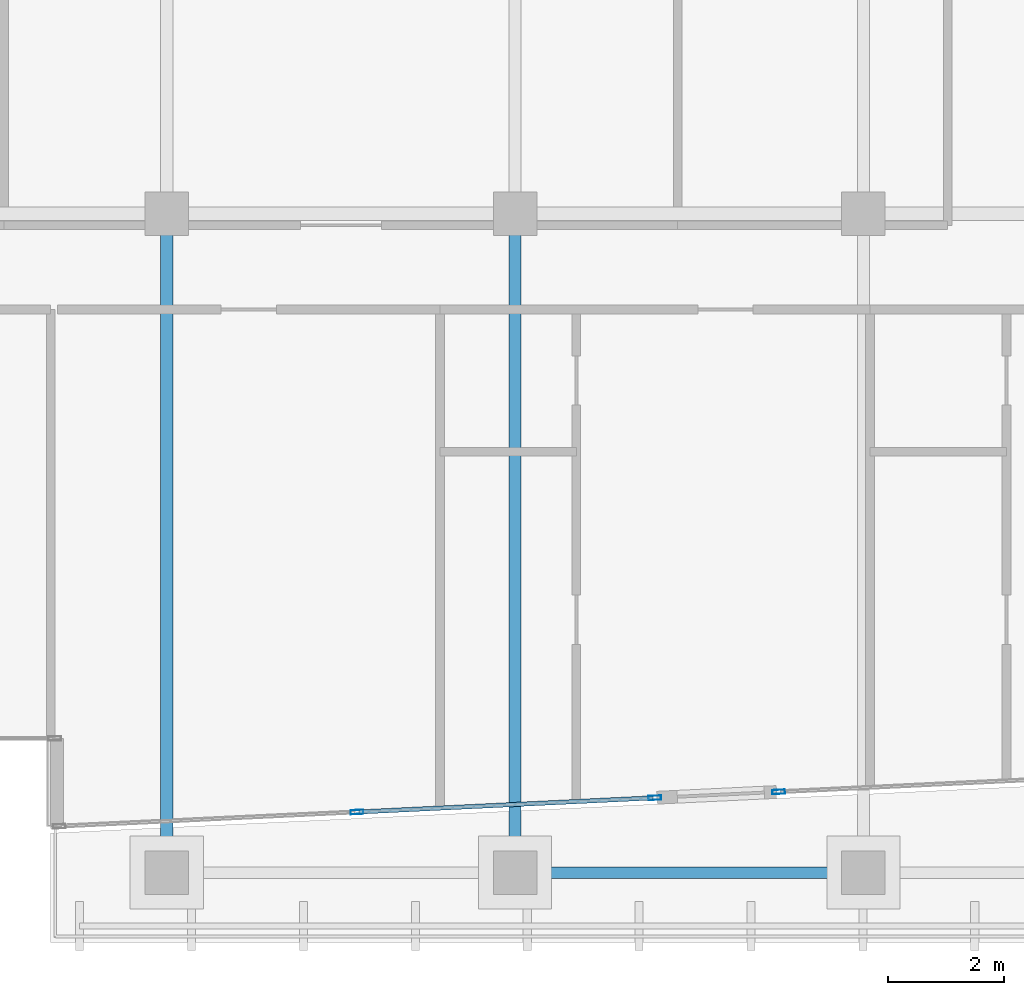
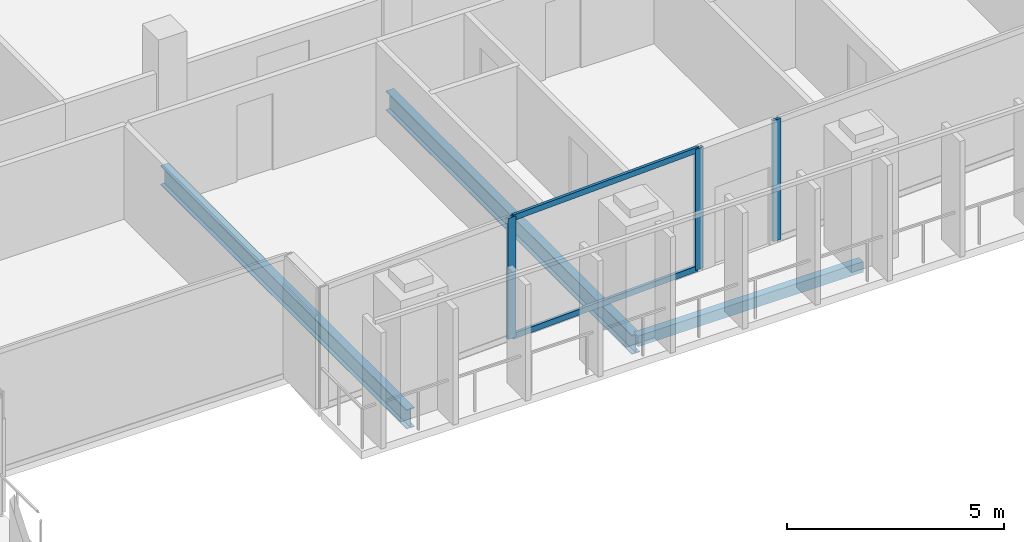
# One storey, part 6 of 31: 5 members, 3 beams, 2 elements without a shape of their own.
"""IFC4 building model written with IfcOpenShell, lengths in metres."""

from ifc_helpers import new_model, si_unit, direction, frame, origin, origin_2d, place, context, subcontext, project, spatial, hollow_rectangle, i_section, extrude, material, layer, layer_set, material_profile, profile_set, type_object, element, aggregate, save


model = new_model("IFC4")

# Units and contexts
model_context = context("Model", 3, precision=1e-05, world=origin(), true_north=direction((0.0, 1.0)))
body_context = subcontext(model_context, "Body", "Model", "MODEL_VIEW")
ifc_project = project(units=[si_unit("LENGTHUNIT", "METRE"), si_unit("AREAUNIT", "SQUARE_METRE"), si_unit("VOLUMEUNIT", "CUBIC_METRE"), si_unit("PLANEANGLEUNIT", "RADIAN"), si_unit("MASSUNIT", "GRAM", prefix="KILO")], contexts=[model_context])

# Site, building, storey
site_placement = place(None, origin())
site = spatial("IfcSite", under=ifc_project, at=site_placement, CompositionType="ELEMENT")
building_placement = place(site_placement, origin())
building = spatial("IfcBuilding", under=site, at=building_placement, Name="Tanjung Sevakor Pilgrim Tower", CompositionType="ELEMENT")
storey_placement = place(building_placement, frame((0.0, 0.0, 208.22998046875)))
storey = spatial("IfcBuildingStorey", under=building, at=storey_placement, Name="L58", CompositionType="ELEMENT", Elevation=208.22998046875)

# Beams
ifc_material_1 = material(Name="Steel S355J2", Category="steel")
ifc_material_profile_1 = material_profile(ifc_material_1, i_section(OverallWidth=0.2119140625, OverallDepth=0.54443359375, WebThickness=0.0126953125, FlangeThickness=0.021240234375, FilletRadius=0.0126953125, at=origin_2d()))
ifc_profile_set_1 = profile_set([ifc_material_profile_1], Name="Steel S355J2")
beam_type_1 = type_object("IfcBeamType", Name="BM-B-G5-UB_533x210x122", PredefinedType="BEAM", material=ifc_profile_set_1)
for number, where, z_axis, x_axis, name in (
    (1, (54.0, 13.25, -0.4921875), (0.0, 1.0, 0.0), (-1.0, 0.0, 0.0), "L58 MAIN Girder 009"),
    (2, (60.0, 13.25, -0.4921875), (0.0, 1.0, 0.0), (-1.0, 0.0, 0.0), "L58 MAIN Girder 012"),
):
    element("IfcBeam", number, at=place(storey_placement, frame(where, z_axis=z_axis, x_axis=x_axis)), inside=storey, type_object=beam_type_1, Name=name, PredefinedType="BEAM", context=body_context, shape_type="SweptSolid", body=[
        extrude(i_section(OverallWidth=0.2119140625, OverallDepth=0.54443359375, WebThickness=0.0126953125, FlangeThickness=0.021240234375, FilletRadius=0.0126953125, at=origin_2d()), origin(), (0.0, 0.0, 1.0), 11.35009765625),
    ])
ifc_material_2 = material(Name="Steel S355J2", Category="steel")
ifc_material_profile_2 = material_profile(ifc_material_2, hollow_rectangle(XDim=0.199951171875, YDim=0.300048828125, WallThickness=0.012451171875, at=origin_2d()))
ifc_profile_set_2 = profile_set([ifc_material_profile_2], Name="Steel S355J2")
beam_type_2 = type_object("IfcBeamType", Name="BM-B-SP3-RHS_300x200x12.5", PredefinedType="SPANDREL", material=ifc_profile_set_2)
beam_placement = place(storey_placement, frame((60.0, 13.25, -0.369873046875), z_axis=(1.0, 0.0, 0.0), x_axis=(0.0, 1.0, 0.0)))
element("IfcBeam", 3, at=beam_placement, inside=storey, type_object=beam_type_2, Name="L58 Spandrel MAIN S-07", PredefinedType="SPANDREL", context=body_context, shape_type="SweptSolid", body=[
    extrude(hollow_rectangle(XDim=0.199951171875, YDim=0.300048828125, WallThickness=0.012451171875, at=origin_2d()), origin(), (0.0, 0.0, 1.0), 6.0),
])

# Curtain wall, members
ifc_material_3 = material(Name="Aluminium 6063-T6 and Low-E Glass", Category="aluminium")
ifc_layer = layer(ifc_material_3, 0.199951171875)
ifc_layer_set = layer_set([ifc_layer], Name="CW-SYS-PRAY")
curtain_wall_type = type_object("IfcCurtainWallType", Name="CW-SYS-PRAY", PredefinedType="NOTDEFINED", material=ifc_layer_set)
curtain_wall_1_placement = place(storey_placement, origin())
curtain_wall_1 = element("IfcCurtainWall", 4, at=curtain_wall_1_placement, inside=storey, type_object=curtain_wall_type, Name="L58 Curtain Wall CW-PRY-L58-9", PredefinedType="NOTDEFINED")
ifc_material_4 = material(Name="Aluminium 6063-T6", Category="aluminium")
ifc_material_profile_3 = material_profile(ifc_material_4, hollow_rectangle(XDim=0.074951171875, YDim=0.219970703125, WallThickness=0.0048828125, at=origin_2d()))
ifc_profile_set_3 = profile_set([ifc_material_profile_3], Name="Aluminium 6063-T6")
member_type_1 = type_object("IfcMemberType", Name="TYPE-CWM-2", PredefinedType="MULLION", material=ifc_profile_set_3)
member_1_placement = place(storey_placement, frame((57.27734375, 14.292724609375, 0.0), z_axis=(0.0, 0.0, 1.0), x_axis=(-0.047793830125, 0.99885722193, 0.0)))
member_1 = element("IfcMember", 5, at=member_1_placement, type_object=member_type_1, Name="CW-PRY mullion 2", PredefinedType="MULLION", context=body_context, shape_type="SweptSolid", body=[
    extrude(hollow_rectangle(XDim=0.074951171875, YDim=0.219970703125, WallThickness=0.0048828125, at=origin_2d()), origin(), (0.0, 0.0, 1.0), 3.409912109375),
])
member_2_placement = place(storey_placement, frame((62.4072265625, 14.5380859375, 0.0), z_axis=(0.0, 0.0, 1.0), x_axis=(-0.047793830125, 0.99885722193, 0.0)))
member_2 = element("IfcMember", 6, at=member_2_placement, type_object=member_type_1, Name="CW-PRY mullion 3", PredefinedType="MULLION", context=body_context, shape_type="SweptSolid", body=[
    extrude(hollow_rectangle(XDim=0.074951171875, YDim=0.219970703125, WallThickness=0.0048828125, at=origin_2d()), origin(), (0.0, 0.0, 1.0), 3.409912109375),
])

# Curtain wall, member
curtain_wall_2_placement = place(storey_placement, origin())
curtain_wall_2 = element("IfcCurtainWall", 7, at=curtain_wall_2_placement, inside=storey, type_object=curtain_wall_type, Name="L58 Curtain Wall CW-PRY-L58-10B", PredefinedType="NOTDEFINED")
member_3_placement = place(storey_placement, frame((64.539794921875, 14.64013671875, 0.0), z_axis=(0.0, 0.0, 1.0), x_axis=(-0.047791761031, 0.998857320931, 0.0)))
member_3 = element("IfcMember", 8, at=member_3_placement, type_object=member_type_1, Name="CW-PRY mullion 1", PredefinedType="MULLION", context=body_context, shape_type="SweptSolid", body=[
    extrude(hollow_rectangle(XDim=0.074951171875, YDim=0.219970703125, WallThickness=0.0048828125, at=origin_2d()), origin(), (0.0, 0.0, 1.0), 3.409912109375),
])
aggregate(curtain_wall_2, [member_3])

# Member
ifc_material_5 = material(Name="Aluminium 6063-T6", Category="aluminium")
ifc_material_profile_4 = material_profile(ifc_material_5, hollow_rectangle(XDim=0.074951171875, YDim=0.159912109375, WallThickness=0.00439453125, at=origin_2d()))
ifc_profile_set_4 = profile_set([ifc_material_profile_4], Name="Aluminium 6063-T6")
member_type_2 = type_object("IfcMemberType", Name="TYPE-CWT-2", PredefinedType="USERDEFINED", material=ifc_profile_set_4)
member_4_placement = place(storey_placement, frame((57.314697265625, 14.29443359375, 0.03759765625), z_axis=(0.998856649015, 0.047805802143, 0.0), x_axis=(-0.047805802143, 0.998856649015, 0.0)))
member_4 = element("IfcMember", 9, at=member_4_placement, type_object=member_type_2, Name="CW-PRY transom 2.1", ObjectType="TRANSOM", PredefinedType="USERDEFINED", context=body_context, shape_type="SweptSolid", body=[
    extrude(hollow_rectangle(XDim=0.074951171875, YDim=0.159912109375, WallThickness=0.00439453125, at=origin_2d()), origin(), (0.0, 0.0, 1.0), 5.06103515625),
])

member_5_placement = place(storey_placement, frame((57.314697265625, 14.29443359375, 3.37255859375), z_axis=(0.998856649015, 0.047805802143, 0.0), x_axis=(-0.047805802143, 0.998856649015, 0.0)))
member_5 = element("IfcMember", 10, at=member_5_placement, type_object=member_type_2, Name="CW-PRY transom 2.2", ObjectType="TRANSOM", PredefinedType="USERDEFINED", context=body_context, shape_type="SweptSolid", body=[
    extrude(hollow_rectangle(XDim=0.074951171875, YDim=0.159912109375, WallThickness=0.00439453125, at=origin_2d()), origin(), (0.0, 0.0, 1.0), 5.06103515625),
])

aggregate(curtain_wall_1, [member_1, member_2, member_4, member_5])

save(model, "model.ifc")
